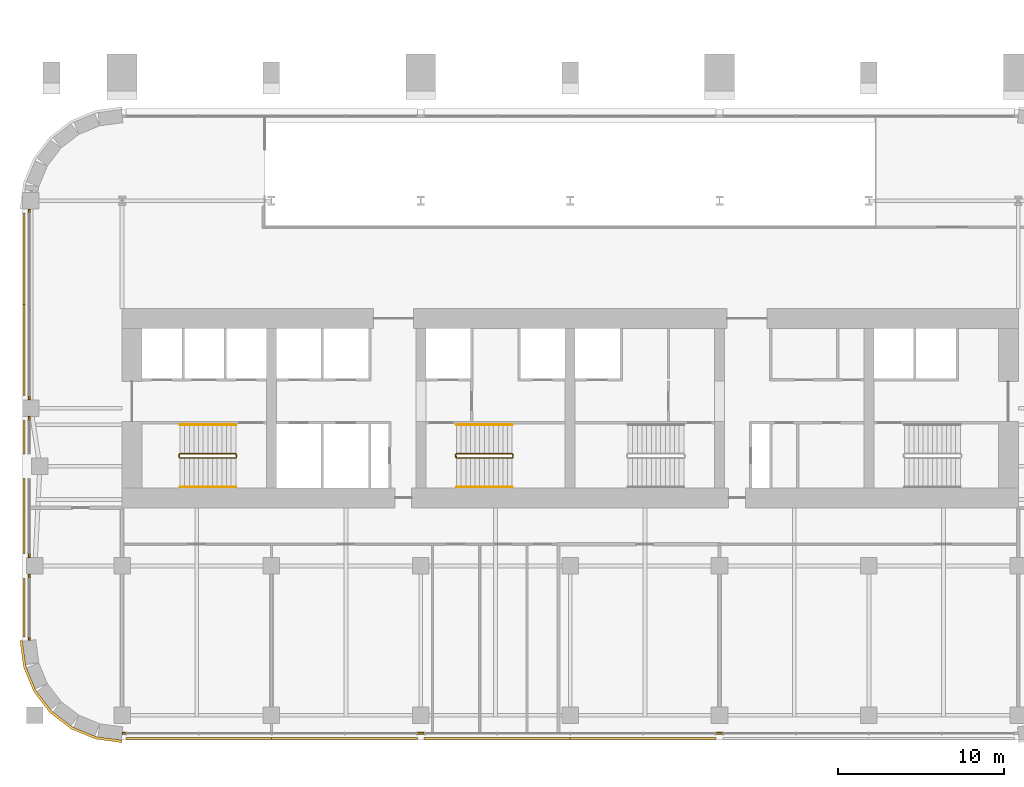
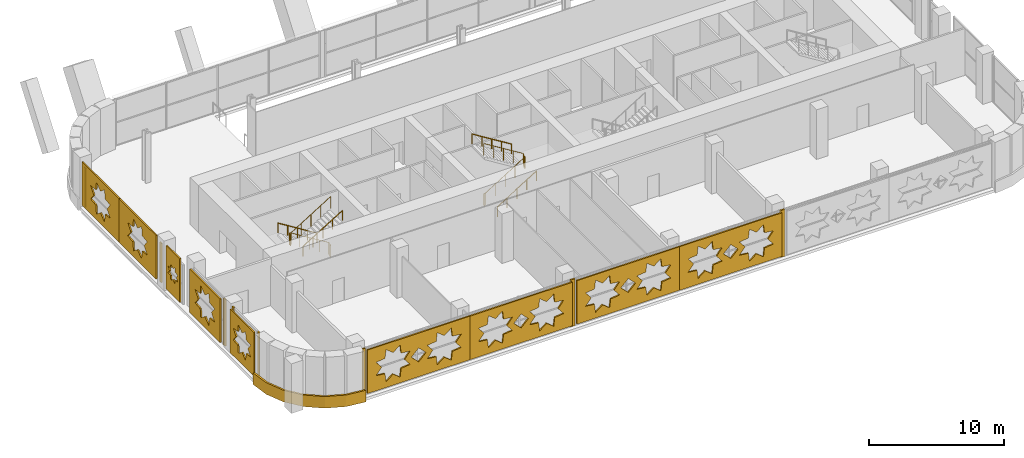
# One storey, part 17 of 21: 19 coverings, 6 railings.
"""IFC4 building model written with IfcOpenShell, lengths in metres."""

from ifc_helpers import new_model, si_unit, direction, frame, origin, origin_2d, place, context, subcontext, project, spatial, polyline, rectangle, circle, outline, extrude, material, layer, layer_set, type_object, element, save


model = new_model("IFC4")

# Units and contexts
model_context = context("Model", 3, precision=1e-05, world=origin(), true_north=direction((0.0, 1.0)))
body_context = subcontext(model_context, "Body", "Model", "MODEL_VIEW")
ifc_project = project(units=[si_unit("LENGTHUNIT", "METRE"), si_unit("AREAUNIT", "SQUARE_METRE"), si_unit("VOLUMEUNIT", "CUBIC_METRE"), si_unit("PLANEANGLEUNIT", "RADIAN"), si_unit("MASSUNIT", "GRAM", prefix="KILO")], contexts=[model_context])

# Site, building, storey
site_placement = place(None, origin())
site = spatial("IfcSite", under=ifc_project, at=site_placement, CompositionType="ELEMENT")
building_placement = place(site_placement, origin())
building = spatial("IfcBuilding", under=site, at=building_placement, Name="Zellij Exchange Tower", CompositionType="ELEMENT")
storey_placement = place(building_placement, frame((0.0, 0.0, 43.5)))
storey = spatial("IfcBuildingStorey", under=building, at=storey_placement, Name="L07", CompositionType="ELEMENT", Elevation=43.5)

# Railings
ifc_material_1 = material(Name="Stainless steel", Category="steel")
railing_type_1 = type_object("IfcRailingType", Name="CORE-RG stair guard", PredefinedType="GUARDRAIL", material=ifc_material_1)
railing_1_placement = place(storey_placement, frame((-20.10009765625, -10.800048828125, 0.0)))
element("IfcRailing", 1, at=railing_1_placement, inside=storey, type_object=railing_type_1, Name="ST1 stair guard L07", PredefinedType="GUARDRAIL", context=body_context, shape_type="SweptSolid", body=[
    extrude(circle(Radius=0.02392578125, at=origin_2d()), frame((0.0, 0.0, 1.076171875), z_axis=(0.0, -1.0, 0.0), x_axis=(1.0, 0.0, 0.0)), (0.0, 0.0, 1.0), 0.14990234375),
    extrude(circle(Radius=0.02392578125, at=origin_2d()), frame((0.0, -0.14990234375, 1.076171875), z_axis=(-0.185068141132, 0.742994154839, 0.643202510111), x_axis=(-0.970351222016, -0.241699205484, 0.0)), (0.0, 0.0, 1.0), 0.26904296875),
    extrude(circle(Radius=0.02392578125, at=origin_2d()), frame((-0.0498046875, 0.050048828125, 1.2490234375), z_axis=(-0.850623216509, 0.0, 0.525775754039), x_axis=(0.0, -1.0, 0.0)), (0.0, 0.0, 1.0), 3.9501953125),
    extrude(circle(Radius=0.02392578125, at=origin_2d()), frame((-3.409912109375, 0.050048828125, 3.326171875), z_axis=(-0.707106781187, -0.707106781187, 0.0), x_axis=(0.707106781187, -0.707106781187, 0.0)), (0.0, 0.0, 1.0), 0.07080078125),
    extrude(circle(Radius=0.02392578125, at=origin_2d()), frame((-3.4599609375, 0.0, 3.326171875), z_axis=(0.0, -1.0, 0.0), x_axis=(1.0, 0.0, 0.0)), (0.0, 0.0, 1.0), 0.14990234375),
    extrude(circle(Radius=0.02392578125, at=origin_2d()), frame((-3.4599609375, -0.14990234375, 3.326171875), z_axis=(0.267629722418, -0.267629722418, 0.925607186314), x_axis=(0.707106781187, 0.707106781187, 0.0)), (0.0, 0.0, 1.0), 0.18701171875),
    extrude(circle(Radius=0.02392578125, at=origin_2d()), frame((-3.409912109375, -0.199951171875, 3.4990234375), z_axis=(0.850623216509, 0.0, 0.525775754039), x_axis=(0.0, 1.0, 0.0)), (0.0, 0.0, 1.0), 3.9501953125),
    extrude(circle(Radius=0.02099609375, at=origin_2d()), origin(), (0.0, 0.0, 1.0), 1.052001953125),
    extrude(circle(Radius=0.02099609375, at=origin_2d()), frame((0.0, -0.14990234375, 0.0)), (0.0, 0.0, 1.0), 1.052001953125),
    extrude(circle(Radius=0.02099609375, at=origin_2d()), frame((-0.0498046875, 0.050048828125, 0.173095703125)), (0.0, 0.0, 1.0), 1.052001953125),
    extrude(circle(Radius=0.02099609375, at=origin_2d()), frame((-0.889892578125, 0.050048828125, 0.6923828125)), (0.0, 0.0, 1.0), 1.052001953125),
    extrude(circle(Radius=0.02099609375, at=origin_2d()), frame((-1.72998046875, 0.050048828125, 1.21142578125)), (0.0, 0.0, 1.0), 1.052001953125),
    extrude(circle(Radius=0.02099609375, at=origin_2d()), frame((-2.56982421875, 0.050048828125, 1.730712890625)), (0.0, 0.0, 1.0), 1.052001953125),
    extrude(circle(Radius=0.02099609375, at=origin_2d()), frame((-3.409912109375, 0.050048828125, 2.25)), (0.0, 0.0, 1.0), 1.052001953125),
    extrude(circle(Radius=0.02099609375, at=origin_2d()), frame((-3.4599609375, 0.0, 2.25)), (0.0, 0.0, 1.0), 1.052001953125),
    extrude(circle(Radius=0.02099609375, at=origin_2d()), frame((-3.4599609375, -0.14990234375, 2.25)), (0.0, 0.0, 1.0), 1.052001953125),
    extrude(circle(Radius=0.02099609375, at=origin_2d()), frame((-3.409912109375, -0.199951171875, 2.423095703125)), (0.0, 0.0, 1.0), 1.052001953125),
    extrude(circle(Radius=0.02099609375, at=origin_2d()), frame((-2.56982421875, -0.199951171875, 2.9423828125)), (0.0, 0.0, 1.0), 1.052001953125),
    extrude(circle(Radius=0.02099609375, at=origin_2d()), frame((-1.72998046875, -0.199951171875, 3.46142578125)), (0.0, 0.0, 1.0), 1.052001953125),
    extrude(circle(Radius=0.02099609375, at=origin_2d()), frame((-0.889892578125, -0.199951171875, 3.980712890625)), (0.0, 0.0, 1.0), 1.052001953125),
    extrude(circle(Radius=0.02099609375, at=origin_2d()), frame((-0.0498046875, -0.199951171875, 4.5)), (0.0, 0.0, 1.0), 1.052001953125),
])
railing_2_placement = place(storey_placement, frame((-6.89990234375, -10.949951171875, 0.0)))
element("IfcRailing", 2, at=railing_2_placement, inside=storey, type_object=railing_type_1, Name="ST2 stair guard L07", PredefinedType="GUARDRAIL", context=body_context, shape_type="SweptSolid", body=[
    extrude(circle(Radius=0.02392578125, at=origin_2d()), frame((0.0, 0.0, 1.076171875), z_axis=(0.0, 1.0, 0.0), x_axis=(-1.0, 0.0, 0.0)), (0.0, 0.0, 1.0), 0.14990234375),
    extrude(circle(Radius=0.02392578125, at=origin_2d()), frame((0.0, 0.14990234375, 1.076171875), z_axis=(0.185068141132, -0.742994154839, 0.643202510111), x_axis=(0.970351222016, 0.241699205484, 0.0)), (0.0, 0.0, 1.0), 0.26904296875),
    extrude(circle(Radius=0.02392578125, at=origin_2d()), frame((0.0498046875, -0.050048828125, 1.2490234375), z_axis=(0.850623216509, 0.0, 0.525775754039), x_axis=(0.0, 1.0, 0.0)), (0.0, 0.0, 1.0), 3.9501953125),
    extrude(circle(Radius=0.02392578125, at=origin_2d()), frame((3.409912109375, -0.050048828125, 3.326171875), z_axis=(0.707106781187, 0.707106781187, 0.0), x_axis=(-0.707106781187, 0.707106781187, 0.0)), (0.0, 0.0, 1.0), 0.07080078125),
    extrude(circle(Radius=0.02392578125, at=origin_2d()), frame((3.4599609375, 0.0, 3.326171875), z_axis=(0.0, 1.0, 0.0), x_axis=(-1.0, 0.0, 0.0)), (0.0, 0.0, 1.0), 0.14990234375),
    extrude(circle(Radius=0.02392578125, at=origin_2d()), frame((3.4599609375, 0.14990234375, 3.326171875), z_axis=(-0.267629722418, 0.267629722418, 0.925607186314), x_axis=(-0.707106781187, -0.707106781187, 0.0)), (0.0, 0.0, 1.0), 0.18701171875),
    extrude(circle(Radius=0.02392578125, at=origin_2d()), frame((3.409912109375, 0.199951171875, 3.4990234375), z_axis=(-0.850623216509, 0.0, 0.525775754039), x_axis=(0.0, -1.0, 0.0)), (0.0, 0.0, 1.0), 3.9501953125),
    extrude(circle(Radius=0.02099609375, at=origin_2d()), origin(), (0.0, 0.0, 1.0), 1.052001953125),
    extrude(circle(Radius=0.02099609375, at=origin_2d()), frame((0.0, 0.14990234375, 0.0)), (0.0, 0.0, 1.0), 1.052001953125),
    extrude(circle(Radius=0.02099609375, at=origin_2d()), frame((0.0498046875, -0.050048828125, 0.173095703125)), (0.0, 0.0, 1.0), 1.052001953125),
    extrude(circle(Radius=0.02099609375, at=origin_2d()), frame((0.889892578125, -0.050048828125, 0.6923828125)), (0.0, 0.0, 1.0), 1.052001953125),
    extrude(circle(Radius=0.02099609375, at=origin_2d()), frame((1.72998046875, -0.050048828125, 1.21142578125)), (0.0, 0.0, 1.0), 1.052001953125),
    extrude(circle(Radius=0.02099609375, at=origin_2d()), frame((2.56982421875, -0.050048828125, 1.730712890625)), (0.0, 0.0, 1.0), 1.052001953125),
    extrude(circle(Radius=0.02099609375, at=origin_2d()), frame((3.409912109375, -0.050048828125, 2.25)), (0.0, 0.0, 1.0), 1.052001953125),
    extrude(circle(Radius=0.02099609375, at=origin_2d()), frame((3.4599609375, 0.0, 2.25)), (0.0, 0.0, 1.0), 1.052001953125),
    extrude(circle(Radius=0.02099609375, at=origin_2d()), frame((3.4599609375, 0.14990234375, 2.25)), (0.0, 0.0, 1.0), 1.052001953125),
    extrude(circle(Radius=0.02099609375, at=origin_2d()), frame((3.409912109375, 0.199951171875, 2.423095703125)), (0.0, 0.0, 1.0), 1.052001953125),
    extrude(circle(Radius=0.02099609375, at=origin_2d()), frame((2.56982421875, 0.199951171875, 2.9423828125)), (0.0, 0.0, 1.0), 1.052001953125),
    extrude(circle(Radius=0.02099609375, at=origin_2d()), frame((1.72998046875, 0.199951171875, 3.46142578125)), (0.0, 0.0, 1.0), 1.052001953125),
    extrude(circle(Radius=0.02099609375, at=origin_2d()), frame((0.889892578125, 0.199951171875, 3.980712890625)), (0.0, 0.0, 1.0), 1.052001953125),
    extrude(circle(Radius=0.02099609375, at=origin_2d()), frame((0.0498046875, 0.199951171875, 4.5)), (0.0, 0.0, 1.0), 1.052001953125),
])
railing_type_2 = type_object("IfcRailingType", Name="CORE-RH stair handrail", PredefinedType="HANDRAIL", material=ifc_material_1)
railing_3_placement = place(storey_placement, frame((-20.14990234375, -9.0, 0.173095703125)))
element("IfcRailing", 3, at=railing_3_placement, inside=storey, type_object=railing_type_2, Name="ST1 stair handrail L07", PredefinedType="HANDRAIL", context=body_context, shape_type="SweptSolid", body=[
    extrude(circle(Radius=0.02392578125, at=origin_2d()), frame((0.0, 0.0, 0.8759765625), z_axis=(-0.850623216509, 0.0, 0.525775754039), x_axis=(0.0, -1.0, 0.0)), (0.0, 0.0, 1.0), 3.9501953125),
    extrude(circle(Radius=0.02099609375, at=origin_2d()), origin(), (0.0, 0.0, 1.0), 0.851806640625),
    extrude(circle(Radius=0.02099609375, at=origin_2d()), frame((-0.840087890625, 0.0, 0.519287109375)), (0.0, 0.0, 1.0), 0.851806640625),
    extrude(circle(Radius=0.02099609375, at=origin_2d()), frame((-1.68017578125, 0.0, 1.03857421875)), (0.0, 0.0, 1.0), 0.851806640625),
    extrude(circle(Radius=0.02099609375, at=origin_2d()), frame((-2.52001953125, 0.0, 1.5576171875)), (0.0, 0.0, 1.0), 0.851806640625),
    extrude(circle(Radius=0.02099609375, at=origin_2d()), frame((-3.360107421875, 0.0, 2.076904296875)), (0.0, 0.0, 1.0), 0.851806640625),
])
for number, where, name in (
    (4, (-23.510009765625, -12.75, 2.423095703125), "ST1 stair handrail L07"),
    (5, (-6.85009765625, -12.75, 0.173095703125), "ST2 stair handrail L07"),
):
    element("IfcRailing", number, at=place(storey_placement, frame(where)), inside=storey, type_object=railing_type_2, Name=name, PredefinedType="HANDRAIL", context=body_context, shape_type="SweptSolid", body=[
        extrude(circle(Radius=0.02392578125, at=origin_2d()), frame((0.0, 0.0, 0.8759765625), z_axis=(0.850623216509, 0.0, 0.525775754039), x_axis=(0.0, 1.0, 0.0)), (0.0, 0.0, 1.0), 3.9501953125),
        extrude(circle(Radius=0.02099609375, at=origin_2d()), origin(), (0.0, 0.0, 1.0), 0.851806640625),
        extrude(circle(Radius=0.02099609375, at=origin_2d()), frame((0.840087890625, 0.0, 0.519287109375)), (0.0, 0.0, 1.0), 0.851806640625),
        extrude(circle(Radius=0.02099609375, at=origin_2d()), frame((1.68017578125, 0.0, 1.03857421875)), (0.0, 0.0, 1.0), 0.851806640625),
        extrude(circle(Radius=0.02099609375, at=origin_2d()), frame((2.52001953125, 0.0, 1.5576171875)), (0.0, 0.0, 1.0), 0.851806640625),
        extrude(circle(Radius=0.02099609375, at=origin_2d()), frame((3.360107421875, 0.0, 2.076904296875)), (0.0, 0.0, 1.0), 0.851806640625),
    ])
railing_4_placement = place(storey_placement, frame((-3.489990234375, -9.0, 2.423095703125)))
element("IfcRailing", 6, at=railing_4_placement, inside=storey, type_object=railing_type_2, Name="ST2 stair handrail L07", PredefinedType="HANDRAIL", context=body_context, shape_type="SweptSolid", body=[
    extrude(circle(Radius=0.02392578125, at=origin_2d()), frame((0.0, 0.0, 0.8759765625), z_axis=(-0.850623216509, 0.0, 0.525775754039), x_axis=(0.0, -1.0, 0.0)), (0.0, 0.0, 1.0), 3.9501953125),
    extrude(circle(Radius=0.02099609375, at=origin_2d()), origin(), (0.0, 0.0, 1.0), 0.851806640625),
    extrude(circle(Radius=0.02099609375, at=origin_2d()), frame((-0.840087890625, 0.0, 0.519287109375)), (0.0, 0.0, 1.0), 0.851806640625),
    extrude(circle(Radius=0.02099609375, at=origin_2d()), frame((-1.68017578125, 0.0, 1.03857421875)), (0.0, 0.0, 1.0), 0.851806640625),
    extrude(circle(Radius=0.02099609375, at=origin_2d()), frame((-2.52001953125, 0.0, 1.5576171875)), (0.0, 0.0, 1.0), 0.851806640625),
    extrude(circle(Radius=0.02099609375, at=origin_2d()), frame((-3.360107421875, 0.0, 2.076904296875)), (0.0, 0.0, 1.0), 0.851806640625),
])

# Coverings
ifc_material_2 = material(Name="Limestone cladding", Category="masonry")
ifc_layer_1 = layer(ifc_material_2, 0.14990234375)
ifc_layer_set_1 = layer_set([ifc_layer_1], Name="Limestone cladding")
covering_type_1 = type_object("IfcCoveringType", Name="ENV-CV1 Stone spandrel band 150", PredefinedType="CLADDING", material=ifc_layer_set_1)
covering_1_placement = place(storey_placement, frame((0.0, 0.0, -0.25)))
element("IfcCovering", 7, at=covering_1_placement, inside=storey, type_object=covering_type_1, Name="Stone spandrel band", PredefinedType="CLADDING", context=body_context, shape_type="SweptSolid", body=[
    extrude(outline(polyline([(-33.0, -22.0), (-32.795654296875, -23.552978515625), (-32.1962890625, -25.0), (-31.24267578125, -26.24267578125), (-30.0, -27.1962890625), (-28.552978515625, -27.795654296875), (-27.0, -28.0), (-27.009765625, -28.14990234375), (-28.592041015625, -27.941650390625), (-30.07568359375, -27.3271484375), (-31.349609375, -26.349609375), (-32.3271484375, -25.07568359375), (-32.941650390625, -23.592041015625), (-33.14990234375, -22.009765625), (-33.0, -22.0)])), origin(), (0.0, 0.0, 1.0), 1.050048828125),
])
ifc_layer_2 = layer(ifc_material_2, 0.1201171875)
ifc_layer_set_2 = layer_set([ifc_layer_2], Name="Limestone cladding")
covering_type_2 = type_object("IfcCoveringType", Name="ENV-CV18 Glazing closer 120", PredefinedType="CLADDING", material=ifc_layer_set_2)
for number, where, z_axis, x_axis, name in (
    (8, (9.0, -27.60009765625, 0.0), (0.0, 0.0, 1.0), (1.0, 0.0, 0.0), "Glazing closer"),
    (9, (-9.0, -27.60009765625, 0.0), (0.0, 0.0, 1.0), (1.0, 0.0, 0.0), "Glazing closer"),
):
    element("IfcCovering", number, at=place(storey_placement, frame(where, z_axis=z_axis, x_axis=x_axis)), inside=storey, type_object=covering_type_2, Name=name, PredefinedType="CLADDING", context=body_context, shape_type="SweptSolid", body=[
        extrude(rectangle(XDim=0.39990234375, YDim=0.1201171875, at=origin_2d()), origin(), (0.0, 0.0, 1.0), 4.25),
    ])
for number, where, z_axis, x_axis, name in (
    (10, (-32.60009765625, -7.375, 0.0), (0.0, 0.0, 1.0), (0.0, -1.0, 0.0), "Glazing closer"),
    (11, (-32.60009765625, -8.625, 0.0), (0.0, 0.0, 1.0), (0.0, 1.0, 0.0), "Glazing closer"),
):
    element("IfcCovering", number, at=place(storey_placement, frame(where, z_axis=z_axis, x_axis=x_axis)), inside=storey, type_object=covering_type_2, Name=name, PredefinedType="CLADDING", context=body_context, shape_type="SweptSolid", body=[
        extrude(rectangle(XDim=0.25, YDim=0.1201171875, at=origin_2d()), origin(), (0.0, 0.0, 1.0), 3.561767578125),
    ])
for number, where, z_axis, x_axis, name in (
    (12, (-32.60009765625, -16.875, 0.0), (0.0, 0.0, 1.0), (0.0, -1.0, 0.0), "Glazing closer"),
    (13, (-32.60009765625, -18.125, 0.0), (0.0, 0.0, 1.0), (0.0, 1.0, 0.0), "Glazing closer"),
):
    element("IfcCovering", number, at=place(storey_placement, frame(where, z_axis=z_axis, x_axis=x_axis)), inside=storey, type_object=covering_type_2, Name=name, PredefinedType="CLADDING", context=body_context, shape_type="SweptSolid", body=[
        extrude(rectangle(XDim=0.25, YDim=0.1201171875, at=origin_2d()), origin(), (0.0, 0.0, 1.0), 4.25),
    ])
covering_2_placement = place(storey_placement, frame((-32.60009765625, 3.886962890625, 0.0), z_axis=(0.0, 0.0, 1.0), x_axis=(0.0, 1.0, 0.0)))
element("IfcCovering", 14, at=covering_2_placement, inside=storey, type_object=covering_type_2, Name="Glazing closer", PredefinedType="CLADDING", context=body_context, shape_type="SweptSolid", body=[
    extrude(rectangle(XDim=0.226318359375, YDim=0.1201171875, at=origin_2d()), origin(), (0.0, 0.0, 1.0), 3.561767578125),
])
for number, where, z_axis, x_axis, name in (
    (15, (-26.883056640625, -27.60009765625, 0.0), (0.0, 0.0, 1.0), (-1.0, 0.0, 0.0), "Glazing closer"),
    (16, (-32.60009765625, -21.883056640625, 0.0), (0.0, 0.0, 1.0), (0.0, -1.0, 0.0), "Glazing closer"),
):
    element("IfcCovering", number, at=place(storey_placement, frame(where, z_axis=z_axis, x_axis=x_axis)), inside=storey, type_object=covering_type_2, Name=name, PredefinedType="CLADDING", context=body_context, shape_type="SweptSolid", body=[
        extrude(rectangle(XDim=0.218505859375, YDim=0.1201171875, at=origin_2d()), origin(), (0.0, 0.0, 1.0), 4.25),
    ])
ifc_material_3 = material(Name="Limestone screen", Category="masonry")
ifc_layer_3 = layer(ifc_material_3, 0.1201171875)
ifc_layer_set_3 = layer_set([ifc_layer_3], Name="Limestone screen")
covering_type_3 = type_object("IfcCoveringType", Name="ENV-SC1 Pierced stone screen 120", PredefinedType="USERDEFINED", material=ifc_layer_set_3)
covering_3_placement = place(storey_placement, frame((-26.773681640625, -27.89990234375, 0.300048828125), z_axis=(0.0, 0.0, 1.0), x_axis=(1.0, 0.0, 0.0)))
element("IfcCovering", 17, at=covering_3_placement, inside=storey, type_object=covering_type_3, Name="Pierced stone screen", ObjectType="SCREEN", PredefinedType="USERDEFINED", context=body_context, shape_type="SweptSolid", body=[
    extrude(outline(polyline([(0.0, 0.0), (8.786865234375, 0.0), (8.786865234375, 3.949951171875), (0.0, 3.949951171875), (0.0, 0.0)]), holes=[polyline([(3.656494140625, 2.57958984375), (2.889404296875, 2.667724609375), (2.801513671875, 3.434814453125), (2.19677734375, 2.95458984375), (1.592041015625, 3.434814453125), (1.50390625, 2.667724609375), (0.737060546875, 2.57958984375), (1.217041015625, 1.97509765625), (0.737060546875, 1.370361328125), (1.50390625, 1.2822265625), (1.592041015625, 0.515380859375), (2.19677734375, 0.995361328125), (2.801513671875, 0.515380859375), (2.889404296875, 1.2822265625), (3.656494140625, 1.370361328125), (3.17626953125, 1.97509765625), (3.656494140625, 2.57958984375)]), polyline([(8.0498046875, 2.57958984375), (7.282958984375, 2.667724609375), (7.19482421875, 3.434814453125), (6.590087890625, 2.95458984375), (5.985595703125, 3.434814453125), (5.8974609375, 2.667724609375), (5.13037109375, 2.57958984375), (5.610595703125, 1.97509765625), (5.13037109375, 1.370361328125), (5.8974609375, 1.2822265625), (5.985595703125, 0.515380859375), (6.590087890625, 0.995361328125), (7.19482421875, 0.515380859375), (7.282958984375, 1.2822265625), (8.0498046875, 1.370361328125), (7.56982421875, 1.97509765625), (8.0498046875, 2.57958984375)]), polyline([(5.025390625, 1.97509765625), (4.393310546875, 2.60693359375), (3.761474609375, 1.97509765625), (4.393310546875, 1.343017578125), (5.025390625, 1.97509765625)])]), frame((0.0, 0.06005859375, 0.0), z_axis=(0.0, -1.0, 0.0), x_axis=(1.0, 0.0, 0.0)), (0.0, 0.0, 1.0), 0.1201171875),
])
covering_4_placement = place(storey_placement, frame((-17.98681640625, -27.89990234375, 0.300048828125), z_axis=(0.0, 0.0, 1.0), x_axis=(1.0, 0.0, 0.0)))
element("IfcCovering", 18, at=covering_4_placement, inside=storey, type_object=covering_type_3, Name="Pierced stone screen", ObjectType="SCREEN", PredefinedType="USERDEFINED", context=body_context, shape_type="SweptSolid", body=[
    extrude(outline(polyline([(0.0, 0.0), (8.786865234375, 0.0), (8.786865234375, 3.949951171875), (0.0, 3.949951171875), (0.0, 0.0)]), holes=[polyline([(3.656494140625, 2.57958984375), (2.889404296875, 2.667724609375), (2.801513671875, 3.434814453125), (2.19677734375, 2.95458984375), (1.592041015625, 3.434814453125), (1.50390625, 2.667724609375), (0.737060546875, 2.57958984375), (1.217041015625, 1.97509765625), (0.737060546875, 1.370361328125), (1.50390625, 1.2822265625), (1.592041015625, 0.515380859375), (2.19677734375, 0.995361328125), (2.801513671875, 0.515380859375), (2.889404296875, 1.2822265625), (3.656494140625, 1.370361328125), (3.17626953125, 1.97509765625), (3.656494140625, 2.57958984375)]), polyline([(8.0498046875, 2.57958984375), (7.282958984375, 2.667724609375), (7.19482421875, 3.434814453125), (6.590087890625, 2.95458984375), (5.985595703125, 3.434814453125), (5.8974609375, 2.667724609375), (5.13037109375, 2.57958984375), (5.610595703125, 1.97509765625), (5.13037109375, 1.370361328125), (5.8974609375, 1.2822265625), (5.985595703125, 0.515380859375), (6.590087890625, 0.995361328125), (7.19482421875, 0.515380859375), (7.282958984375, 1.2822265625), (8.0498046875, 1.370361328125), (7.56982421875, 1.97509765625), (8.0498046875, 2.57958984375)]), polyline([(5.025390625, 1.97509765625), (4.3935546875, 2.60693359375), (3.761474609375, 1.97509765625), (4.3935546875, 1.343017578125), (5.025390625, 1.97509765625)])]), frame((0.0, 0.06005859375, 0.0), z_axis=(0.0, -1.0, 0.0), x_axis=(1.0, 0.0, 0.0)), (0.0, 0.0, 1.0), 0.1201171875),
])
for number, where, z_axis, x_axis, name in (
    (19, (-8.800048828125, -27.89990234375, 0.300048828125), (0.0, 0.0, 1.0), (1.0, 0.0, 0.0), "Pierced stone screen"),
    (20, (0.0, -27.89990234375, 0.300048828125), (0.0, 0.0, 1.0), (1.0, 0.0, 0.0), "Pierced stone screen"),
):
    element("IfcCovering", number, at=place(storey_placement, frame(where, z_axis=z_axis, x_axis=x_axis)), inside=storey, type_object=covering_type_3, Name=name, ObjectType="SCREEN", PredefinedType="USERDEFINED", context=body_context, shape_type="SweptSolid", body=[
        extrude(outline(polyline([(0.0, 0.0), (8.800048828125, 0.0), (8.800048828125, 3.949951171875), (0.0, 3.949951171875), (0.0, 0.0)]), holes=[polyline([(3.65966796875, 2.57958984375), (2.892578125, 2.667724609375), (2.8046875, 3.434814453125), (2.199951171875, 2.95458984375), (1.595458984375, 3.434814453125), (1.50732421875, 2.667724609375), (0.740234375, 2.57958984375), (1.220458984375, 1.97509765625), (0.740234375, 1.370361328125), (1.50732421875, 1.2822265625), (1.595458984375, 0.515380859375), (2.199951171875, 0.995361328125), (2.8046875, 0.515380859375), (2.892578125, 1.2822265625), (3.65966796875, 1.370361328125), (3.1796875, 1.97509765625), (3.65966796875, 2.57958984375)]), polyline([(8.059814453125, 2.57958984375), (7.292724609375, 2.667724609375), (7.20458984375, 3.434814453125), (6.60009765625, 2.95458984375), (5.995361328125, 3.434814453125), (5.9072265625, 2.667724609375), (5.140380859375, 2.57958984375), (5.620361328125, 1.97509765625), (5.140380859375, 1.370361328125), (5.9072265625, 1.2822265625), (5.995361328125, 0.515380859375), (6.60009765625, 0.995361328125), (7.20458984375, 0.515380859375), (7.292724609375, 1.2822265625), (8.059814453125, 1.370361328125), (7.57958984375, 1.97509765625), (8.059814453125, 2.57958984375)]), polyline([(5.031982421875, 1.97509765625), (4.39990234375, 2.60693359375), (3.76806640625, 1.97509765625), (4.39990234375, 1.343017578125), (5.031982421875, 1.97509765625)])]), frame((0.0, 0.06005859375, 0.0), z_axis=(0.0, -1.0, 0.0), x_axis=(1.0, 0.0, 0.0)), (0.0, 0.0, 1.0), 0.1201171875),
    ])
for number, where, z_axis, x_axis, name in (
    (21, (-32.89990234375, 3.773681640625, 0.300048828125), (0.0, 0.0, 1.0), (0.0, -1.0, 0.0), "Pierced stone screen"),
    (22, (-32.89990234375, -1.738037109375, 0.300048828125), (0.0, 0.0, 1.0), (0.0, -1.0, 0.0), "Pierced stone screen"),
):
    element("IfcCovering", number, at=place(storey_placement, frame(where, z_axis=z_axis, x_axis=x_axis)), inside=storey, type_object=covering_type_3, Name=name, ObjectType="SCREEN", PredefinedType="USERDEFINED", context=body_context, shape_type="SweptSolid", body=[
        extrude(outline(polyline([(0.0, 0.0), (5.511962890625, 0.0), (5.511962890625, 3.949951171875), (0.0, 3.949951171875), (0.0, 0.0)]), holes=[polyline([(4.2158203125, 2.57958984375), (3.448486328125, 2.667724609375), (3.360595703125, 3.434814453125), (2.755859375, 2.95458984375), (2.1513671875, 3.434814453125), (2.063232421875, 2.667724609375), (1.296142578125, 2.57958984375), (1.7763671875, 1.97509765625), (1.296142578125, 1.370361328125), (2.063232421875, 1.2822265625), (2.1513671875, 0.515380859375), (2.755859375, 0.995361328125), (3.360595703125, 0.515380859375), (3.448486328125, 1.2822265625), (4.2158203125, 1.370361328125), (3.735595703125, 1.97509765625), (4.2158203125, 2.57958984375)])]), frame((0.0, 0.06005859375, 0.0), z_axis=(0.0, -1.0, 0.0), x_axis=(1.0, 0.0, 0.0)), (0.0, 0.0, 1.0), 0.1201171875),
    ])
covering_5_placement = place(storey_placement, frame((-32.89990234375, -8.75, 0.300048828125), z_axis=(0.0, 0.0, 1.0), x_axis=(0.0, -1.0, 0.0)))
element("IfcCovering", 23, at=covering_5_placement, inside=storey, type_object=covering_type_3, Name="Pierced stone screen", ObjectType="SCREEN", PredefinedType="USERDEFINED", context=body_context, shape_type="SweptSolid", body=[
    extrude(outline(polyline([(0.0, 0.0), (2.0, 0.0), (2.0, 3.949951171875), (0.0, 3.949951171875), (0.0, 0.0)]), holes=[polyline([(1.739013671875, 2.281005859375), (1.3505859375, 2.32568359375), (1.30615234375, 2.714111328125), (1.0, 2.470947265625), (0.69384765625, 2.714111328125), (0.6494140625, 2.32568359375), (0.260986328125, 2.281005859375), (0.50390625, 1.97509765625), (0.260986328125, 1.6689453125), (0.6494140625, 1.624267578125), (0.69384765625, 1.23583984375), (1.0, 1.47900390625), (1.30615234375, 1.23583984375), (1.3505859375, 1.624267578125), (1.739013671875, 1.6689453125), (1.49609375, 1.97509765625), (1.739013671875, 2.281005859375)])]), frame((0.0, 0.06005859375, 0.0), z_axis=(0.0, -1.0, 0.0), x_axis=(1.0, 0.0, 0.0)), (0.0, 0.0, 1.0), 0.1201171875),
])
covering_6_placement = place(storey_placement, frame((-32.89990234375, -12.25, 0.300048828125), z_axis=(0.0, 0.0, 1.0), x_axis=(0.0, -1.0, 0.0)))
element("IfcCovering", 24, at=covering_6_placement, inside=storey, type_object=covering_type_3, Name="Pierced stone screen", ObjectType="SCREEN", PredefinedType="USERDEFINED", context=body_context, shape_type="SweptSolid", body=[
    extrude(outline(polyline([(0.0, 0.0), (4.5, 0.0), (4.5, 3.949951171875), (0.0, 3.949951171875), (0.0, 0.0)]), holes=[polyline([(3.709716796875, 2.57958984375), (2.942626953125, 2.667724609375), (2.8544921875, 3.434814453125), (2.25, 2.95458984375), (1.6455078125, 3.434814453125), (1.557373046875, 2.667724609375), (0.790283203125, 2.57958984375), (1.2705078125, 1.97509765625), (0.790283203125, 1.370361328125), (1.557373046875, 1.2822265625), (1.6455078125, 0.515380859375), (2.25, 0.995361328125), (2.8544921875, 0.515380859375), (2.942626953125, 1.2822265625), (3.709716796875, 1.370361328125), (3.2294921875, 1.97509765625), (3.709716796875, 2.57958984375)])]), frame((0.0, 0.06005859375, 0.0), z_axis=(0.0, -1.0, 0.0), x_axis=(1.0, 0.0, 0.0)), (0.0, 0.0, 1.0), 0.1201171875),
])
covering_7_placement = place(storey_placement, frame((-32.89990234375, -18.25, 0.300048828125), z_axis=(0.0, 0.0, 1.0), x_axis=(0.0, -1.0, 0.0)))
element("IfcCovering", 25, at=covering_7_placement, inside=storey, type_object=covering_type_3, Name="Pierced stone screen", ObjectType="SCREEN", PredefinedType="USERDEFINED", context=body_context, shape_type="SweptSolid", body=[
    extrude(outline(polyline([(0.0, 0.0), (3.523681640625, 0.0), (3.523681640625, 3.949951171875), (0.0, 3.949951171875), (0.0, 0.0)]), holes=[polyline([(3.064208984375, 2.514404296875), (2.3798828125, 2.593017578125), (2.30126953125, 3.277099609375), (1.761962890625, 2.848876953125), (1.222412109375, 3.277099609375), (1.14404296875, 2.593017578125), (0.459716796875, 2.514404296875), (0.887939453125, 1.97509765625), (0.459716796875, 1.435546875), (1.14404296875, 1.357177734375), (1.222412109375, 0.6728515625), (1.761962890625, 1.10107421875), (2.30126953125, 0.6728515625), (2.3798828125, 1.357177734375), (3.064208984375, 1.435546875), (2.6357421875, 1.97509765625), (3.064208984375, 2.514404296875)])]), frame((0.0, 0.06005859375, 0.0), z_axis=(0.0, -1.0, 0.0), x_axis=(1.0, 0.0, 0.0)), (0.0, 0.0, 1.0), 0.1201171875),
])

save(model, "model.ifc")
